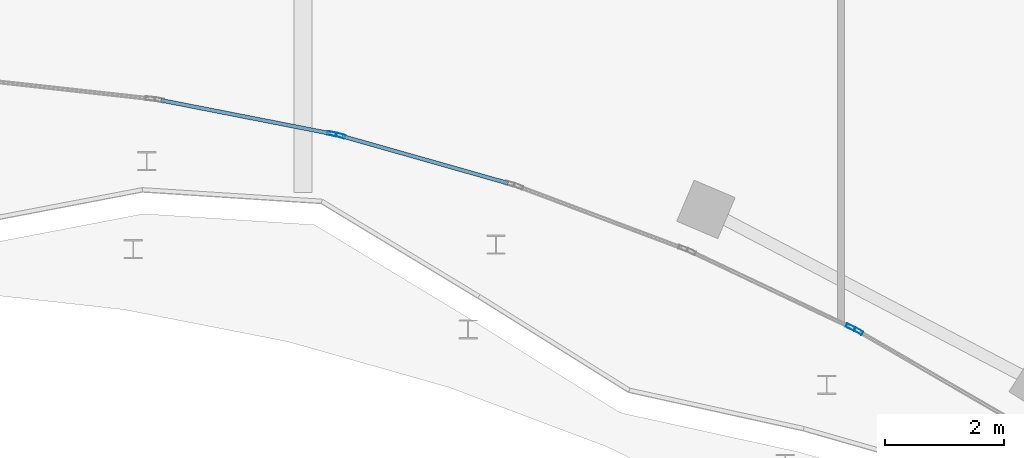
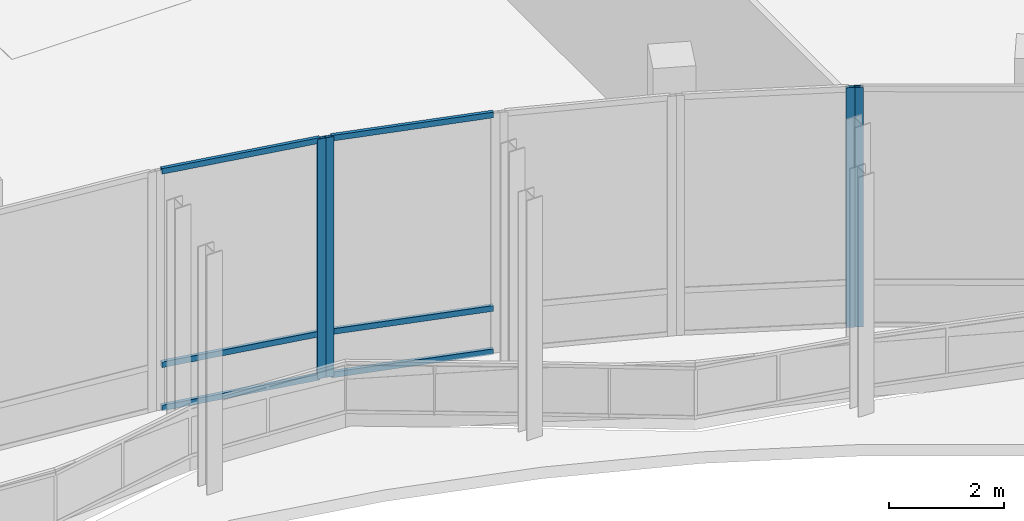
# One storey, part 96 of 158: 10 members, 4 elements without a shape of their own.
"""IFC4 building model written with IfcOpenShell, lengths in metres."""

from ifc_helpers import new_model, si_unit, direction, frame, origin, origin_2d, place, context, subcontext, project, spatial, hollow_rectangle, extrude, material, material_profile, profile_set, type_object, element, aggregate, save


model = new_model("IFC4")

# Units and contexts
model_context = context("Model", 3, precision=1e-05, world=origin(), true_north=direction((0.0, 1.0)))
body_context = subcontext(model_context, "Body", "Model", "MODEL_VIEW")
ifc_project = project(units=[si_unit("LENGTHUNIT", "METRE"), si_unit("AREAUNIT", "SQUARE_METRE"), si_unit("VOLUMEUNIT", "CUBIC_METRE"), si_unit("PLANEANGLEUNIT", "RADIAN"), si_unit("MASSUNIT", "GRAM", prefix="KILO")], contexts=[model_context])

# Site, building, storey
site_placement = place(None, origin())
site = spatial("IfcSite", under=ifc_project, at=site_placement, CompositionType="ELEMENT")
building_placement = place(site_placement, origin())
building = spatial("IfcBuilding", under=site, at=building_placement, Name="Selatvlak General Hospital", CompositionType="ELEMENT")
storey_placement = place(building_placement, origin())
storey = spatial("IfcBuildingStorey", under=building, at=storey_placement, Name="L00", CompositionType="ELEMENT", Elevation=0.0)

# Curtain wall, member
ifc_material_1 = material(Name="Solar-control Low-E double glazing", Category="glass")
curtain_wall_type_1 = type_object("IfcCurtainWallType", Name="CW-CW-01", PredefinedType="USERDEFINED", material=ifc_material_1)
curtain_wall_1_placement = place(storey_placement, origin())
curtain_wall_1 = element("IfcCurtainWall", 1, at=curtain_wall_1_placement, inside=storey, type_object=curtain_wall_type_1, Name="Glazed facade curtain wall CW-L00-0025", ObjectType="UNITISED CURTAIN WALL", PredefinedType="USERDEFINED")
ifc_material_2 = material(Name="Dark anodised aluminium mullion", Category="aluminium")
ifc_material_profile_1 = material_profile(ifc_material_2, hollow_rectangle(XDim=0.06494140625, YDim=0.159912109375, WallThickness=0.00390625, at=origin_2d()), Name="AL-MUL 65x160x4")
ifc_profile_set_1 = profile_set([ifc_material_profile_1], Name="Dark anodised aluminium mullion")
member_type_1 = type_object("IfcMemberType", Name="CWM-01", PredefinedType="MULLION", material=ifc_profile_set_1)
member_1_placement = place(storey_placement, frame((157.4921875, 49.667724609375, 0.0), z_axis=(0.0, 0.0, 1.0), x_axis=(-0.501491093657, -0.865162807212, 0.0)))
member_1 = element("IfcMember", 2, at=member_1_placement, type_object=member_type_1, Name="CW-01 mullion 2", PredefinedType="MULLION", context=body_context, shape_type="SweptSolid", body=[
    extrude(hollow_rectangle(XDim=0.06494140625, YDim=0.159912109375, WallThickness=0.00390625, at=origin_2d()), origin(), (0.0, 0.0, 1.0), 5.080078125),
])
aggregate(curtain_wall_1, [member_1])

curtain_wall_type_2 = type_object("IfcCurtainWallType", Name="CW-CW-02", PredefinedType="USERDEFINED", material=ifc_material_1)
curtain_wall_2_placement = place(storey_placement, origin())
curtain_wall_2 = element("IfcCurtainWall", 3, at=curtain_wall_2_placement, inside=storey, type_object=curtain_wall_type_2, Name="Glazed facade curtain wall CW-L00-0026", ObjectType="UNITISED CURTAIN WALL", PredefinedType="USERDEFINED")
member_2_placement = place(storey_placement, frame((157.362548828125, 49.73291015625, 0.0), z_axis=(0.0, 0.0, 1.0), x_axis=(-0.428525558966, -0.903529659343, 0.0)))
member_2 = element("IfcMember", 4, at=member_2_placement, type_object=member_type_1, Name="CW-02 mullion 1", PredefinedType="MULLION", context=body_context, shape_type="SweptSolid", body=[
    extrude(hollow_rectangle(XDim=0.06494140625, YDim=0.159912109375, WallThickness=0.00390625, at=origin_2d()), origin(), (0.0, 0.0, 1.0), 5.080078125),
])
aggregate(curtain_wall_2, [member_2])

curtain_wall_3_placement = place(storey_placement, origin())
curtain_wall_3 = element("IfcCurtainWall", 5, at=curtain_wall_3_placement, inside=storey, type_object=curtain_wall_type_2, Name="Glazed facade curtain wall CW-L00-0028", ObjectType="UNITISED CURTAIN WALL", PredefinedType="USERDEFINED")
member_3_placement = place(storey_placement, frame((148.7783203125, 52.9560546875, 0.0), z_axis=(0.0, 0.0, 1.0), x_axis=(-0.272846888748, -0.962057469853, 0.0)))
member_3 = element("IfcMember", 6, at=member_3_placement, type_object=member_type_1, Name="CW-02 mullion 2", PredefinedType="MULLION", context=body_context, shape_type="SweptSolid", body=[
    extrude(hollow_rectangle(XDim=0.06494140625, YDim=0.159912109375, WallThickness=0.00390625, at=origin_2d()), origin(), (0.0, 0.0, 1.0), 5.080078125),
])

curtain_wall_4_placement = place(storey_placement, origin())
curtain_wall_4 = element("IfcCurtainWall", 7, at=curtain_wall_4_placement, inside=storey, type_object=curtain_wall_type_1, Name="Glazed facade curtain wall CW-L00-0029", ObjectType="UNITISED CURTAIN WALL", PredefinedType="USERDEFINED")
member_4_placement = place(storey_placement, frame((148.63720703125, 52.98828125, 0.0), z_axis=(0.0, 0.0, 1.0), x_axis=(-0.192246345827, -0.981346698428, 0.0)))
member_4 = element("IfcMember", 8, at=member_4_placement, type_object=member_type_1, Name="CW-01 mullion 1", PredefinedType="MULLION", context=body_context, shape_type="SweptSolid", body=[
    extrude(hollow_rectangle(XDim=0.06494140625, YDim=0.159912109375, WallThickness=0.00390625, at=origin_2d()), origin(), (0.0, 0.0, 1.0), 5.080078125),
])

# Member
ifc_material_profile_2 = material_profile(ifc_material_2, hollow_rectangle(XDim=0.06494140625, YDim=0.1201171875, WallThickness=0.00390625, at=origin_2d()), Name="AL-TRN 65x120x4")
ifc_profile_set_2 = profile_set([ifc_material_profile_2], Name="Dark anodised aluminium mullion")
member_type_2 = type_object("IfcMemberType", Name="CWT-01", PredefinedType="USERDEFINED", material=ifc_profile_set_2)
member_5_placement = place(storey_placement, frame((151.6005859375, 52.15576171875, 0.032470703125), z_axis=(-0.962061954442, 0.272831075604, 0.0), x_axis=(-0.272831075604, -0.962061954442, 0.0)))
member_5 = element("IfcMember", 9, at=member_5_placement, type_object=member_type_2, Name="CW-02 transom 1.1", ObjectType="TRANSOM", PredefinedType="USERDEFINED", context=body_context, shape_type="SweptSolid", body=[
    extrude(hollow_rectangle(XDim=0.06494140625, YDim=0.1201171875, WallThickness=0.00390625, at=origin_2d()), origin(), (0.0, 0.0, 1.0), 2.901123046875),
])

member_6_placement = place(storey_placement, frame((151.6005859375, 52.15576171875, 0.949951171875), z_axis=(-0.962061954442, 0.272831075604, 0.0), x_axis=(-0.272831075604, -0.962061954442, 0.0)))
member_6 = element("IfcMember", 10, at=member_6_placement, type_object=member_type_2, Name="CW-02 transom 1.2", ObjectType="TRANSOM", PredefinedType="USERDEFINED", context=body_context, shape_type="SweptSolid", body=[
    extrude(hollow_rectangle(XDim=0.06494140625, YDim=0.1201171875, WallThickness=0.00390625, at=origin_2d()), origin(), (0.0, 0.0, 1.0), 2.901123046875),
])

member_7_placement = place(storey_placement, frame((151.6005859375, 52.15576171875, 5.047607421875), z_axis=(-0.962061954442, 0.272831075604, 0.0), x_axis=(-0.272831075604, -0.962061954442, 0.0)))
member_7 = element("IfcMember", 11, at=member_7_placement, type_object=member_type_2, Name="CW-02 transom 1.3", ObjectType="TRANSOM", PredefinedType="USERDEFINED", context=body_context, shape_type="SweptSolid", body=[
    extrude(hollow_rectangle(XDim=0.06494140625, YDim=0.1201171875, WallThickness=0.00390625, at=origin_2d()), origin(), (0.0, 0.0, 1.0), 2.901123046875),
])

aggregate(curtain_wall_3, [member_3, member_5, member_6, member_7])

member_8_placement = place(storey_placement, frame((148.605224609375, 52.994384765625, 0.032470703125), z_axis=(-0.981339899237, 0.19228104994, 0.0), x_axis=(-0.19228104994, -0.981339899237, 0.0)))
member_8 = element("IfcMember", 12, at=member_8_placement, type_object=member_type_2, Name="CW-01 transom 1.1", ObjectType="TRANSOM", PredefinedType="USERDEFINED", context=body_context, shape_type="SweptSolid", body=[
    extrude(hollow_rectangle(XDim=0.06494140625, YDim=0.1201171875, WallThickness=0.00390625, at=origin_2d()), origin(), (0.0, 0.0, 1.0), 2.902587890625),
])

member_9_placement = place(storey_placement, frame((148.605224609375, 52.994384765625, 0.949951171875), z_axis=(-0.981339899237, 0.19228104994, 0.0), x_axis=(-0.19228104994, -0.981339899237, 0.0)))
member_9 = element("IfcMember", 13, at=member_9_placement, type_object=member_type_2, Name="CW-01 transom 1.2", ObjectType="TRANSOM", PredefinedType="USERDEFINED", context=body_context, shape_type="SweptSolid", body=[
    extrude(hollow_rectangle(XDim=0.06494140625, YDim=0.1201171875, WallThickness=0.00390625, at=origin_2d()), origin(), (0.0, 0.0, 1.0), 2.902587890625),
])

member_10_placement = place(storey_placement, frame((148.605224609375, 52.994384765625, 5.047607421875), z_axis=(-0.981339899237, 0.19228104994, 0.0), x_axis=(-0.19228104994, -0.981339899237, 0.0)))
member_10 = element("IfcMember", 14, at=member_10_placement, type_object=member_type_2, Name="CW-01 transom 1.3", ObjectType="TRANSOM", PredefinedType="USERDEFINED", context=body_context, shape_type="SweptSolid", body=[
    extrude(hollow_rectangle(XDim=0.06494140625, YDim=0.1201171875, WallThickness=0.00390625, at=origin_2d()), origin(), (0.0, 0.0, 1.0), 2.902587890625),
])

aggregate(curtain_wall_4, [member_4, member_8, member_9, member_10])

save(model, "model.ifc")
